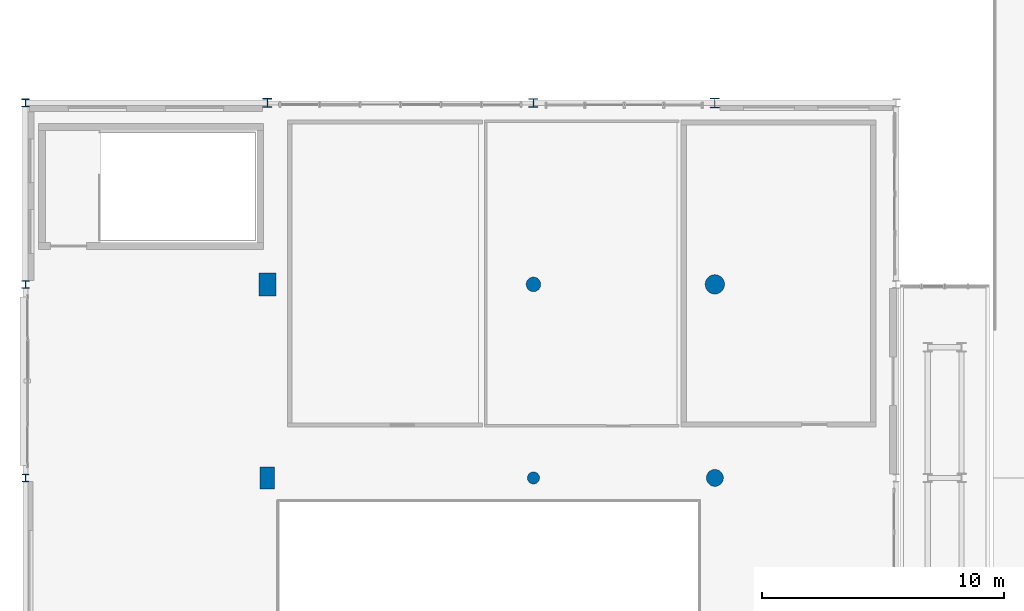
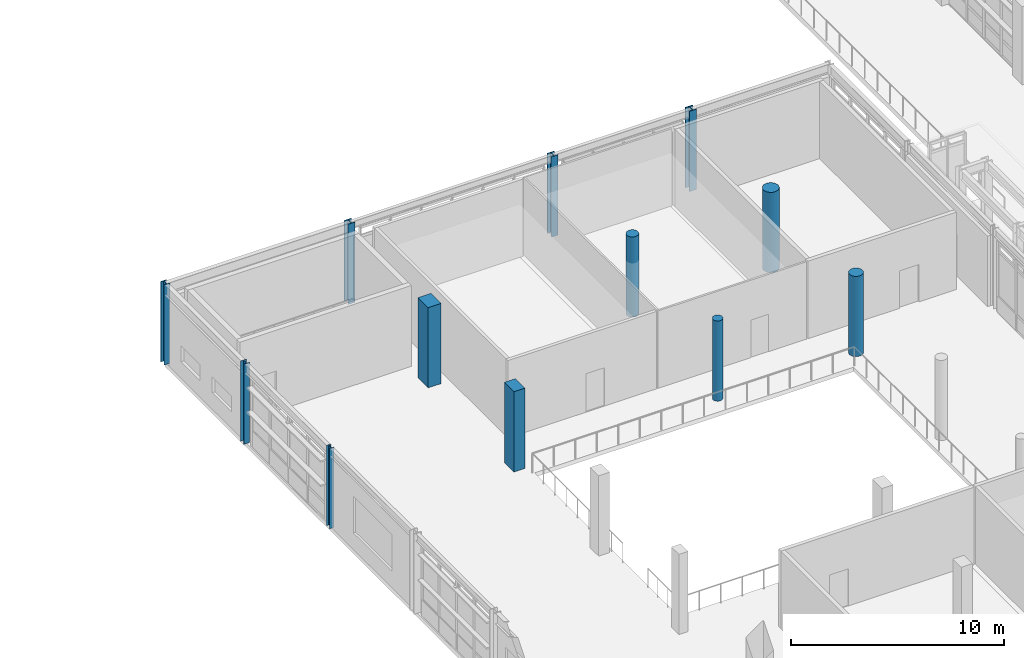
# One storey, part 3 of 200: 12 columns.
"""IFC4 building model written with IfcOpenShell, lengths in metres."""

from ifc_helpers import new_model, si_unit, direction, frame, origin, origin_2d, place, context, subcontext, project, spatial, rectangle, circle, i_section, extrude, material, material_profile, profile_set, type_object, element, save


model = new_model("IFC4")

# Units and contexts
model_context = context("Model", 3, precision=1e-05, world=origin(), true_north=direction((0.0, 1.0)))
body_context = subcontext(model_context, "Body", "Model", "MODEL_VIEW")
ifc_project = project(units=[si_unit("LENGTHUNIT", "METRE"), si_unit("AREAUNIT", "SQUARE_METRE"), si_unit("VOLUMEUNIT", "CUBIC_METRE"), si_unit("PLANEANGLEUNIT", "RADIAN"), si_unit("MASSUNIT", "GRAM", prefix="KILO"), si_unit("THERMODYNAMICTEMPERATUREUNIT", "KELVIN"), si_unit("POWERUNIT", "WATT")], contexts=[model_context])

# Site, building, storey
site_placement = place(None, origin())
site = spatial("IfcSite", under=ifc_project, at=site_placement, CompositionType="ELEMENT")
building_placement = place(site_placement, origin())
building = spatial("IfcBuilding", under=site, at=building_placement, Name="Tepalcoro Natatorium and Aquatics Centre", CompositionType="ELEMENT")
storey_placement = place(building_placement, frame((0.0, 0.0, 5.39990234375)))
storey = spatial("IfcBuildingStorey", under=building, at=storey_placement, Name="L01", CompositionType="ELEMENT", Elevation=5.39990234375)

# Columns
ifc_material_1 = material(Name="Concrete C40/50 (fc 40 MPa)", Category="concrete")
ifc_material_profile_1 = material_profile(ifc_material_1, rectangle(XDim=0.60009765625, YDim=0.89990234375, at=origin_2d()), Name="RC600x900")
ifc_profile_set_1 = profile_set([ifc_material_profile_1], Name="Concrete C40/50 (fc 40 MPa)")
column_type_1 = type_object("IfcColumnType", Name="COL_RC_600x900", PredefinedType="COLUMN", material=ifc_profile_set_1)
column_1_placement = place(storey_placement, frame((10.0, 36.0, 0.0), z_axis=(0.0, 0.0, 1.0), x_axis=(1.0, 0.0, 0.0)))
element("IfcColumn", 1, at=column_1_placement, inside=storey, type_object=column_type_1, Name="V3 L01 Grid Column (10.0, 36.0)", PredefinedType="COLUMN", context=body_context, shape_type="SweptSolid", body=[
    extrude(rectangle(XDim=0.60009765625, YDim=0.89990234375, at=origin_2d()), origin(), (0.0, 0.0, 1.0), 4.60009765625),
])
ifc_material_profile_2 = material_profile(ifc_material_1, rectangle(XDim=0.699951171875, YDim=0.949951171875, at=origin_2d()), Name="RC700x950")
ifc_profile_set_2 = profile_set([ifc_material_profile_2], Name="Concrete C40/50 (fc 40 MPa)")
column_type_2 = type_object("IfcColumnType", Name="COL_RC_700x950", PredefinedType="COLUMN", material=ifc_profile_set_2)
column_2_placement = place(storey_placement, frame((10.0, 44.0, 0.0), z_axis=(0.0, 0.0, 1.0), x_axis=(1.0, 0.0, 0.0)))
element("IfcColumn", 2, at=column_2_placement, inside=storey, type_object=column_type_2, Name="V3 L01 Grid Column (10.0, 44.0)", PredefinedType="COLUMN", context=body_context, shape_type="SweptSolid", body=[
    extrude(rectangle(XDim=0.699951171875, YDim=0.949951171875, at=origin_2d()), origin(), (0.0, 0.0, 1.0), 4.60009765625),
])
ifc_material_profile_3 = material_profile(ifc_material_1, circle(Radius=0.25, at=origin_2d()), Name="RCD500")
ifc_profile_set_3 = profile_set([ifc_material_profile_3], Name="Concrete C40/50 (fc 40 MPa)")
column_type_3 = type_object("IfcColumnType", Name="COL_RC_D500", PredefinedType="COLUMN", material=ifc_profile_set_3)
column_3_placement = place(storey_placement, frame((21.0, 36.0, 0.0), z_axis=(0.0, 0.0, 1.0), x_axis=(1.0, 0.0, 0.0)))
element("IfcColumn", 3, at=column_3_placement, inside=storey, type_object=column_type_3, Name="V3 L01 Grid Column (21.0, 36.0)", PredefinedType="COLUMN", context=body_context, shape_type="SweptSolid", body=[
    extrude(circle(Radius=0.25, at=origin_2d()), origin(), (0.0, 0.0, 1.0), 4.60009765625),
])
ifc_material_profile_4 = material_profile(ifc_material_1, circle(Radius=0.300048828125, at=origin_2d()), Name="RCD600")
ifc_profile_set_4 = profile_set([ifc_material_profile_4], Name="Concrete C40/50 (fc 40 MPa)")
column_type_4 = type_object("IfcColumnType", Name="COL_RC_D600", PredefinedType="COLUMN", material=ifc_profile_set_4)
column_4_placement = place(storey_placement, frame((21.0, 44.0, 0.0), z_axis=(0.0, 0.0, 1.0), x_axis=(1.0, 0.0, 0.0)))
element("IfcColumn", 4, at=column_4_placement, inside=storey, type_object=column_type_4, Name="V3 L01 Grid Column (21.0, 44.0)", PredefinedType="COLUMN", context=body_context, shape_type="SweptSolid", body=[
    extrude(circle(Radius=0.300048828125, at=origin_2d()), origin(), (0.0, 0.0, 1.0), 4.60009765625),
])
ifc_material_profile_5 = material_profile(ifc_material_1, circle(Radius=0.35009765625, at=origin_2d()), Name="RCD700")
ifc_profile_set_5 = profile_set([ifc_material_profile_5], Name="Concrete C40/50 (fc 40 MPa)")
column_type_5 = type_object("IfcColumnType", Name="COL_RC_D700", PredefinedType="COLUMN", material=ifc_profile_set_5)
column_5_placement = place(storey_placement, frame((28.5, 36.0, 0.0), z_axis=(0.0, 0.0, 1.0), x_axis=(1.0, 0.0, 0.0)))
element("IfcColumn", 5, at=column_5_placement, inside=storey, type_object=column_type_5, Name="V3 L01 Grid Column (28.5, 36.0)", PredefinedType="COLUMN", context=body_context, shape_type="SweptSolid", body=[
    extrude(circle(Radius=0.35009765625, at=origin_2d()), origin(), (0.0, 0.0, 1.0), 4.60009765625),
])
ifc_material_profile_6 = material_profile(ifc_material_1, circle(Radius=0.39990234375, at=origin_2d()), Name="RCD800")
ifc_profile_set_6 = profile_set([ifc_material_profile_6], Name="Concrete C40/50 (fc 40 MPa)")
column_type_6 = type_object("IfcColumnType", Name="COL_RC_D800", PredefinedType="COLUMN", material=ifc_profile_set_6)
column_6_placement = place(storey_placement, frame((28.5, 44.0, 0.0), z_axis=(0.0, 0.0, 1.0), x_axis=(1.0, 0.0, 0.0)))
element("IfcColumn", 6, at=column_6_placement, inside=storey, type_object=column_type_6, Name="V3 L01 Grid Column (28.5, 44.0)", PredefinedType="COLUMN", context=body_context, shape_type="SweptSolid", body=[
    extrude(circle(Radius=0.39990234375, at=origin_2d()), origin(), (0.0, 0.0, 1.0), 4.60009765625),
])
ifc_material_2 = material(Name="Steel ASTM A992 Grade 50 (Fy 345 MPa)", Category="steel")
ifc_material_profile_7 = material_profile(ifc_material_2, i_section(OverallWidth=0.31005859375, OverallDepth=0.327880859375, WebThickness=0.014892578125, FlangeThickness=0.02490234375, FilletRadius=0.013916015625, at=origin_2d()), Name="W12X106")
ifc_profile_set_7 = profile_set([ifc_material_profile_7], Name="Steel ASTM A992 Grade 50 (Fy 345 MPa)")
column_type_7 = type_object("IfcColumnType", Name="COL_W12x106", PredefinedType="COLUMN", material=ifc_profile_set_7)
column_7_placement = place(storey_placement, frame((0.0, 51.5, 0.0), z_axis=(0.0, 0.0, 1.0), x_axis=(1.0, 0.0, 0.0)))
element("IfcColumn", 7, at=column_7_placement, inside=storey, type_object=column_type_7, Name="V3 L01 Grid Column (0.0, 51.5)", PredefinedType="COLUMN", context=body_context, shape_type="SweptSolid", body=[
    extrude(i_section(OverallWidth=0.31005859375, OverallDepth=0.327880859375, WebThickness=0.014892578125, FlangeThickness=0.02490234375, FilletRadius=0.013916015625, at=origin_2d()), origin(), (0.0, 0.0, 1.0), 4.60009765625),
])
ifc_material_profile_8 = material_profile(ifc_material_2, i_section(OverallWidth=0.25390625, OverallDepth=0.306884765625, WebThickness=0.009033203125, FlangeThickness=0.014892578125, FilletRadius=0.013916015625, at=origin_2d()), Name="W12X53")
ifc_profile_set_8 = profile_set([ifc_material_profile_8], Name="Steel ASTM A992 Grade 50 (Fy 345 MPa)")
column_type_8 = type_object("IfcColumnType", Name="COL_W12x53", PredefinedType="COLUMN", material=ifc_profile_set_8)
column_8_placement = place(storey_placement, frame((0.0, 36.0, 0.0), z_axis=(0.0, 0.0, 1.0), x_axis=(1.0, 0.0, 0.0)))
element("IfcColumn", 8, at=column_8_placement, inside=storey, type_object=column_type_8, Name="V3 L01 Grid Column (0.0, 36.0)", PredefinedType="COLUMN", context=body_context, shape_type="SweptSolid", body=[
    extrude(i_section(OverallWidth=0.25390625, OverallDepth=0.306884765625, WebThickness=0.009033203125, FlangeThickness=0.014892578125, FilletRadius=0.013916015625, at=origin_2d()), origin(), (0.0, 0.0, 1.0), 4.60009765625),
])
ifc_material_profile_9 = material_profile(ifc_material_2, i_section(OverallWidth=0.306884765625, OverallDepth=0.31494140625, WebThickness=0.011962890625, FlangeThickness=0.01904296875, FilletRadius=0.013916015625, at=origin_2d()), Name="W12X79")
ifc_profile_set_9 = profile_set([ifc_material_profile_9], Name="Steel ASTM A992 Grade 50 (Fy 345 MPa)")
column_type_9 = type_object("IfcColumnType", Name="COL_W12x79", PredefinedType="COLUMN", material=ifc_profile_set_9)
column_9_placement = place(storey_placement, frame((0.0, 44.0, 0.0), z_axis=(0.0, 0.0, 1.0), x_axis=(1.0, 0.0, 0.0)))
element("IfcColumn", 9, at=column_9_placement, inside=storey, type_object=column_type_9, Name="V3 L01 Grid Column (0.0, 44.0)", PredefinedType="COLUMN", context=body_context, shape_type="SweptSolid", body=[
    extrude(i_section(OverallWidth=0.306884765625, OverallDepth=0.31494140625, WebThickness=0.011962890625, FlangeThickness=0.01904296875, FilletRadius=0.013916015625, at=origin_2d()), origin(), (0.0, 0.0, 1.0), 4.60009765625),
])
ifc_material_profile_10 = material_profile(ifc_material_2, i_section(OverallWidth=0.373046875, OverallDepth=0.367919921875, WebThickness=0.014892578125, FlangeThickness=0.02392578125, FilletRadius=0.013916015625, at=origin_2d()), Name="W14X120")
ifc_profile_set_10 = profile_set([ifc_material_profile_10], Name="Steel ASTM A992 Grade 50 (Fy 345 MPa)")
column_type_10 = type_object("IfcColumnType", Name="COL_W14x120", PredefinedType="COLUMN", material=ifc_profile_set_10)
column_10_placement = place(storey_placement, frame((21.0, 51.5, 0.0), z_axis=(0.0, 0.0, 1.0), x_axis=(1.0, 0.0, 0.0)))
element("IfcColumn", 10, at=column_10_placement, inside=storey, type_object=column_type_10, Name="V3 L01 Grid Column (21.0, 51.5)", PredefinedType="COLUMN", context=body_context, shape_type="SweptSolid", body=[
    extrude(i_section(OverallWidth=0.373046875, OverallDepth=0.367919921875, WebThickness=0.014892578125, FlangeThickness=0.02392578125, FilletRadius=0.013916015625, at=origin_2d()), origin(), (0.0, 0.0, 1.0), 4.60009765625),
])
ifc_material_profile_11 = material_profile(ifc_material_2, i_section(OverallWidth=0.3740234375, OverallDepth=0.373046875, WebThickness=0.01611328125, FlangeThickness=0.02587890625, FilletRadius=0.013916015625, at=origin_2d()), Name="W14X132")
ifc_profile_set_11 = profile_set([ifc_material_profile_11], Name="Steel ASTM A992 Grade 50 (Fy 345 MPa)")
column_type_11 = type_object("IfcColumnType", Name="COL_W14x132", PredefinedType="COLUMN", material=ifc_profile_set_11)
column_11_placement = place(storey_placement, frame((10.0, 51.5, 0.0), z_axis=(0.0, 0.0, 1.0), x_axis=(1.0, 0.0, 0.0)))
element("IfcColumn", 11, at=column_11_placement, inside=storey, type_object=column_type_11, Name="V3 L01 Grid Column (10.0, 51.5)", PredefinedType="COLUMN", context=body_context, shape_type="SweptSolid", body=[
    extrude(i_section(OverallWidth=0.3740234375, OverallDepth=0.373046875, WebThickness=0.01611328125, FlangeThickness=0.02587890625, FilletRadius=0.013916015625, at=origin_2d()), origin(), (0.0, 0.0, 1.0), 4.60009765625),
])
ifc_material_profile_12 = material_profile(ifc_material_2, i_section(OverallWidth=0.40087890625, OverallDepth=0.39892578125, WebThickness=0.02490234375, FlangeThickness=0.0400390625, FilletRadius=0.013916015625, at=origin_2d()), Name="W14X211")
ifc_profile_set_12 = profile_set([ifc_material_profile_12], Name="Steel ASTM A992 Grade 50 (Fy 345 MPa)")
column_type_12 = type_object("IfcColumnType", Name="COL_W14x211", PredefinedType="COLUMN", material=ifc_profile_set_12)
column_12_placement = place(storey_placement, frame((28.5, 51.5, 0.0), z_axis=(0.0, 0.0, 1.0), x_axis=(1.0, 0.0, 0.0)))
element("IfcColumn", 12, at=column_12_placement, inside=storey, type_object=column_type_12, Name="V3 L01 Grid Column (28.5, 51.5)", PredefinedType="COLUMN", context=body_context, shape_type="SweptSolid", body=[
    extrude(i_section(OverallWidth=0.40087890625, OverallDepth=0.39892578125, WebThickness=0.02490234375, FlangeThickness=0.0400390625, FilletRadius=0.013916015625, at=origin_2d()), origin(), (0.0, 0.0, 1.0), 4.60009765625),
])

save(model, "model.ifc")
